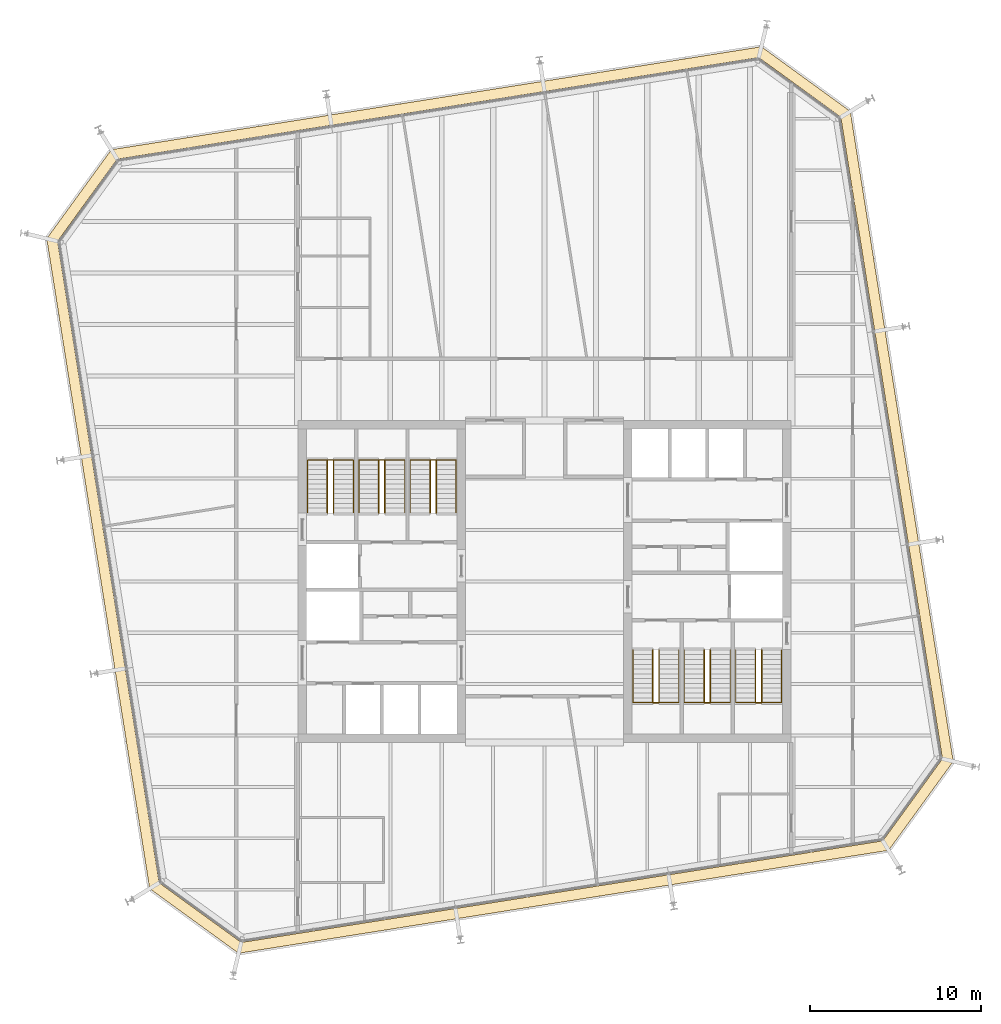
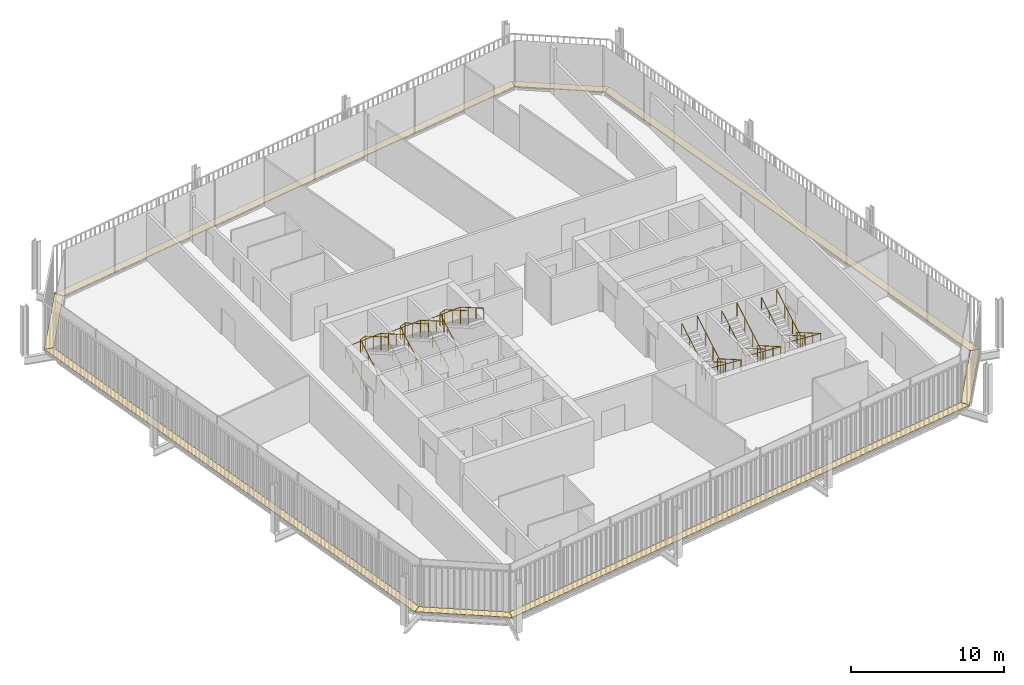
# One storey, part 20 of 20: 12 railings, 8 coverings.
"""IFC4 building model written with IfcOpenShell, lengths in metres."""

from ifc_helpers import new_model, si_unit, direction, frame, origin, origin_2d, place, context, subcontext, project, spatial, polyline, circle, outline, extrude, material, layer, layer_set, type_object, element, save


model = new_model("IFC4")

# Units and contexts
model_context = context("Model", 3, precision=1e-05, world=origin(), true_north=direction((0.0, 1.0)))
body_context = subcontext(model_context, "Body", "Model", "MODEL_VIEW")
ifc_project = project(units=[si_unit("LENGTHUNIT", "METRE"), si_unit("AREAUNIT", "SQUARE_METRE"), si_unit("VOLUMEUNIT", "CUBIC_METRE"), si_unit("PLANEANGLEUNIT", "RADIAN"), si_unit("MASSUNIT", "GRAM", prefix="KILO")], contexts=[model_context])

# Site, building, storey
site_placement = place(None, origin())
site = spatial("IfcSite", under=ifc_project, at=site_placement, CompositionType="ELEMENT")
building_placement = place(site_placement, origin())
building = spatial("IfcBuilding", under=site, at=building_placement, Name="Millrace Tower", CompositionType="ELEMENT")
storey_placement = place(building_placement, frame((0.0, 0.0, 216.39990234375)))
storey = spatial("IfcBuildingStorey", under=building, at=storey_placement, Name="L49", CompositionType="ELEMENT", Elevation=216.39990234375)

# Coverings
ifc_material_1 = material(Name="Steel ASTM A36", Category="steel")
ifc_layer = layer(ifc_material_1, 0.050048828125)
ifc_layer_set = layer_set([ifc_layer], Name="Steel ASTM A36")
covering_type = type_object("IfcCoveringType", Name="CAVITY CATWALK steel grating", PredefinedType="FLOORING", material=ifc_layer_set)
placement = place(storey_placement, frame((0.0, 0.0, 0.10009765625)))
element("IfcCovering", 1, at=placement, inside=storey, type_object=covering_type, Name="Cavity catwalk grating D-F01 L49 1", PredefinedType="FLOORING", context=body_context, shape_type="SweptSolid", body=[
    extrude(outline(polyline([(-23.052490234375, -17.939453125), (-17.85888671875, -21.712890625), (-17.707275390625, -21.081298828125), (-22.49853515625, -17.60009765625), (-23.052490234375, -17.939453125)])), origin(), (0.0, 0.0, 1.0), 0.050048828125),
])
element("IfcCovering", 2, at=placement, inside=storey, type_object=covering_type, Name="Cavity catwalk grating D-F02 L49 1", PredefinedType="FLOORING", context=body_context, shape_type="SweptSolid", body=[
    extrude(outline(polyline([(-17.85888671875, -21.712890625), (20.08935546875, -15.702392578125), (19.750244140625, -15.148681640625), (-17.707275390625, -21.081298828125), (-17.85888671875, -21.712890625)])), origin(), (0.0, 0.0, 1.0), 0.050048828125),
])
element("IfcCovering", 3, at=placement, inside=storey, type_object=covering_type, Name="Cavity catwalk grating D-F03 L49 1", PredefinedType="FLOORING", context=body_context, shape_type="SweptSolid", body=[
    extrude(outline(polyline([(20.08935546875, -15.702392578125), (23.86279296875, -10.5087890625), (23.231201171875, -10.357177734375), (19.750244140625, -15.148681640625), (20.08935546875, -15.702392578125)])), origin(), (0.0, 0.0, 1.0), 0.050048828125),
])
element("IfcCovering", 4, at=placement, inside=storey, type_object=covering_type, Name="Cavity catwalk grating D-F04 L49 1", PredefinedType="FLOORING", context=body_context, shape_type="SweptSolid", body=[
    extrude(outline(polyline([(23.86279296875, -10.5087890625), (17.852294921875, 27.439453125), (17.298583984375, 27.10009765625), (23.231201171875, -10.357177734375), (23.86279296875, -10.5087890625)])), origin(), (0.0, 0.0, 1.0), 0.050048828125),
])
element("IfcCovering", 5, at=placement, inside=storey, type_object=covering_type, Name="Cavity catwalk grating D-F05 L49 1", PredefinedType="FLOORING", context=body_context, shape_type="SweptSolid", body=[
    extrude(outline(polyline([(17.852294921875, 27.439453125), (12.658935546875, 31.212890625), (12.50732421875, 30.581298828125), (17.298583984375, 27.10009765625), (17.852294921875, 27.439453125)])), origin(), (0.0, 0.0, 1.0), 0.050048828125),
])
element("IfcCovering", 6, at=placement, inside=storey, type_object=covering_type, Name="Cavity catwalk grating D-F06 L49 1", PredefinedType="FLOORING", context=body_context, shape_type="SweptSolid", body=[
    extrude(outline(polyline([(12.658935546875, 31.212890625), (-25.28955078125, 25.202392578125), (-24.9501953125, 24.648681640625), (12.50732421875, 30.581298828125), (12.658935546875, 31.212890625)])), origin(), (0.0, 0.0, 1.0), 0.050048828125),
])
element("IfcCovering", 7, at=placement, inside=storey, type_object=covering_type, Name="Cavity catwalk grating D-F07 L49 1", PredefinedType="FLOORING", context=body_context, shape_type="SweptSolid", body=[
    extrude(outline(polyline([(-25.28955078125, 25.202392578125), (-29.062744140625, 20.0087890625), (-28.431396484375, 19.857177734375), (-24.9501953125, 24.648681640625), (-25.28955078125, 25.202392578125)])), origin(), (0.0, 0.0, 1.0), 0.050048828125),
])
element("IfcCovering", 8, at=placement, inside=storey, type_object=covering_type, Name="Cavity catwalk grating D-F08 L49 1", PredefinedType="FLOORING", context=body_context, shape_type="SweptSolid", body=[
    extrude(outline(polyline([(-29.062744140625, 20.0087890625), (-23.052490234375, -17.939453125), (-22.49853515625, -17.60009765625), (-28.431396484375, 19.857177734375), (-29.062744140625, 20.0087890625)])), origin(), (0.0, 0.0, 1.0), 0.050048828125),
])

# Railings
ifc_material_2 = material(Name="Stainless steel ASTM A240 type 316", Category="steel")
railing_type_1 = type_object("IfcRailingType", Name="Stair guard 1100", PredefinedType="GUARDRAIL", material=ifc_material_2)
for number, where, name in (
    (9, (-12.679931640625, 4.0, 0.16259765625), "Stair guard 1 W L49"),
    (10, (-9.679931640625, 4.0, 0.16259765625), "Stair guard 2 W L49"),
    (11, (-6.679931640625, 4.0, 0.16259765625), "Stair guard 3 W L49"),
):
    element("IfcRailing", number, at=place(storey_placement, frame(where)), inside=storey, type_object=railing_type_1, Name=name, PredefinedType="GUARDRAIL", context=body_context, shape_type="SweptSolid", body=[
        extrude(circle(Radius=0.02392578125, at=origin_2d()), frame((0.0, 0.0, 1.076171875), z_axis=(0.0, 0.864890721111, 0.501960198159), x_axis=(-1.0, 0.0, 0.0)), (0.0, 0.0, 1.0), 3.561279296875),
        extrude(circle(Radius=0.02392578125, at=origin_2d()), frame((0.0, 3.080078125, 2.86376953125), z_axis=(0.91152767309, 0.0, 0.411238739895), x_axis=(0.0, 1.0, 0.0)), (0.0, 0.0, 1.0), 0.394775390625),
        extrude(circle(Radius=0.02392578125, at=origin_2d()), frame((0.35986328125, 3.080078125, 3.02587890625), z_axis=(0.0, -0.864890721111, 0.501960198159), x_axis=(1.0, 0.0, 0.0)), (0.0, 0.0, 1.0), 3.561279296875),
        extrude(circle(Radius=0.02099609375, at=origin_2d()), origin(), (0.0, 0.0, 1.0), 1.052001953125),
        extrude(circle(Radius=0.02099609375, at=origin_2d()), frame((0.0, 1.026611328125, 0.595947265625)), (0.0, 0.0, 1.0), 1.052001953125),
        extrude(circle(Radius=0.02099609375, at=origin_2d()), frame((0.0, 2.053466796875, 1.191650390625)), (0.0, 0.0, 1.0), 1.052001953125),
        extrude(circle(Radius=0.02099609375, at=origin_2d()), frame((0.0, 3.080078125, 1.78759765625)), (0.0, 0.0, 1.0), 1.052001953125),
        extrude(circle(Radius=0.02099609375, at=origin_2d()), frame((0.35986328125, 3.080078125, 1.949951171875)), (0.0, 0.0, 1.0), 1.052001953125),
        extrude(circle(Radius=0.02099609375, at=origin_2d()), frame((0.35986328125, 2.053466796875, 2.5458984375)), (0.0, 0.0, 1.0), 1.052001953125),
        extrude(circle(Radius=0.02099609375, at=origin_2d()), frame((0.35986328125, 1.026611328125, 3.1416015625)), (0.0, 0.0, 1.0), 1.052001953125),
        extrude(circle(Radius=0.02099609375, at=origin_2d()), frame((0.35986328125, 0.0, 3.737548828125)), (0.0, 0.0, 1.0), 1.052001953125),
    ])
for number, where, name in (
    (12, (12.679931640625, -4.0, 0.16259765625), "Stair guard 1 E L49"),
    (13, (9.679931640625, -4.0, 0.16259765625), "Stair guard 2 E L49"),
    (14, (6.679931640625, -4.0, 0.16259765625), "Stair guard 3 E L49"),
):
    element("IfcRailing", number, at=place(storey_placement, frame(where)), inside=storey, type_object=railing_type_1, Name=name, PredefinedType="GUARDRAIL", context=body_context, shape_type="SweptSolid", body=[
        extrude(circle(Radius=0.02392578125, at=origin_2d()), frame((0.0, 0.0, 1.076171875), z_axis=(0.0, -0.864890721111, 0.501960198159), x_axis=(1.0, 0.0, 0.0)), (0.0, 0.0, 1.0), 3.561279296875),
        extrude(circle(Radius=0.02392578125, at=origin_2d()), frame((0.0, -3.080078125, 2.86376953125), z_axis=(-0.91152767309, 0.0, 0.411238739895), x_axis=(0.0, -1.0, 0.0)), (0.0, 0.0, 1.0), 0.394775390625),
        extrude(circle(Radius=0.02392578125, at=origin_2d()), frame((-0.35986328125, -3.080078125, 3.02587890625), z_axis=(0.0, 0.864890721111, 0.501960198159), x_axis=(-1.0, 0.0, 0.0)), (0.0, 0.0, 1.0), 3.561279296875),
        extrude(circle(Radius=0.02099609375, at=origin_2d()), origin(), (0.0, 0.0, 1.0), 1.052001953125),
        extrude(circle(Radius=0.02099609375, at=origin_2d()), frame((0.0, -1.026611328125, 0.595947265625)), (0.0, 0.0, 1.0), 1.052001953125),
        extrude(circle(Radius=0.02099609375, at=origin_2d()), frame((0.0, -2.053466796875, 1.191650390625)), (0.0, 0.0, 1.0), 1.052001953125),
        extrude(circle(Radius=0.02099609375, at=origin_2d()), frame((0.0, -3.080078125, 1.78759765625)), (0.0, 0.0, 1.0), 1.052001953125),
        extrude(circle(Radius=0.02099609375, at=origin_2d()), frame((-0.35986328125, -3.080078125, 1.949951171875)), (0.0, 0.0, 1.0), 1.052001953125),
        extrude(circle(Radius=0.02099609375, at=origin_2d()), frame((-0.35986328125, -2.053466796875, 2.5458984375)), (0.0, 0.0, 1.0), 1.052001953125),
        extrude(circle(Radius=0.02099609375, at=origin_2d()), frame((-0.35986328125, -1.026611328125, 3.1416015625)), (0.0, 0.0, 1.0), 1.052001953125),
        extrude(circle(Radius=0.02099609375, at=origin_2d()), frame((-0.35986328125, 0.0, 3.737548828125)), (0.0, 0.0, 1.0), 1.052001953125),
    ])
ifc_material_3 = material(Name="Stainless steel ASTM A240 type 316", Category="steel")
railing_type_2 = type_object("IfcRailingType", Name="Stair handrail 900", PredefinedType="HANDRAIL", material=ifc_material_3)
railing_1_placement = place(storey_placement, frame((-13.840087890625, 4.0, 0.16259765625)))
element("IfcRailing", 15, at=railing_1_placement, inside=storey, type_object=railing_type_2, Name="Stair handrail 1 W L49", PredefinedType="HANDRAIL", context=body_context, shape_type="SweptSolid", body=[
    extrude(circle(Radius=0.02392578125, at=origin_2d()), frame((0.0, 0.0, 0.8759765625), z_axis=(0.0, 0.864890721111, 0.501960198159), x_axis=(-1.0, 0.0, 0.0)), (0.0, 0.0, 1.0), 3.561279296875),
    extrude(circle(Radius=0.02392578125, at=origin_2d()), frame((0.0, 3.080078125, 2.66357421875), z_axis=(0.998170326313, 0.0, 0.06046486309), x_axis=(0.0, 1.0, 0.0)), (0.0, 0.0, 1.0), 2.68505859375),
    extrude(circle(Radius=0.02392578125, at=origin_2d()), frame((2.68017578125, 3.080078125, 2.82568359375), z_axis=(0.0, -0.864890721111, 0.501960198159), x_axis=(1.0, 0.0, 0.0)), (0.0, 0.0, 1.0), 3.561279296875),
    extrude(circle(Radius=0.02099609375, at=origin_2d()), origin(), (0.0, 0.0, 1.0), 0.851806640625),
    extrude(circle(Radius=0.02099609375, at=origin_2d()), frame((0.0, 1.026611328125, 0.595947265625)), (0.0, 0.0, 1.0), 0.851806640625),
    extrude(circle(Radius=0.02099609375, at=origin_2d()), frame((0.0, 2.053466796875, 1.191650390625)), (0.0, 0.0, 1.0), 0.851806640625),
    extrude(circle(Radius=0.02099609375, at=origin_2d()), frame((0.0, 3.080078125, 1.78759765625)), (0.0, 0.0, 1.0), 0.851806640625),
    extrude(circle(Radius=0.02099609375, at=origin_2d()), frame((1.340087890625, 3.080078125, 1.86865234375)), (0.0, 0.0, 1.0), 0.851806640625),
    extrude(circle(Radius=0.02099609375, at=origin_2d()), frame((2.68017578125, 3.080078125, 1.949951171875)), (0.0, 0.0, 1.0), 0.851806640625),
    extrude(circle(Radius=0.02099609375, at=origin_2d()), frame((2.68017578125, 2.053466796875, 2.5458984375)), (0.0, 0.0, 1.0), 0.851806640625),
    extrude(circle(Radius=0.02099609375, at=origin_2d()), frame((2.68017578125, 1.026611328125, 3.1416015625)), (0.0, 0.0, 1.0), 0.851806640625),
    extrude(circle(Radius=0.02099609375, at=origin_2d()), frame((2.68017578125, 0.0, 3.737548828125)), (0.0, 0.0, 1.0), 0.851806640625),
])
railing_2_placement = place(storey_placement, frame((-10.840087890625, 4.0, 0.16259765625)))
element("IfcRailing", 16, at=railing_2_placement, inside=storey, type_object=railing_type_2, Name="Stair handrail 2 W L49", PredefinedType="HANDRAIL", context=body_context, shape_type="SweptSolid", body=[
    extrude(circle(Radius=0.02392578125, at=origin_2d()), frame((0.0, 0.0, 0.8759765625), z_axis=(0.0, 0.864890721111, 0.501960198159), x_axis=(-1.0, 0.0, 0.0)), (0.0, 0.0, 1.0), 3.561279296875),
    extrude(circle(Radius=0.02392578125, at=origin_2d()), frame((0.0, 3.080078125, 2.66357421875), z_axis=(0.998170326313, 0.0, 0.06046486309), x_axis=(0.0, 1.0, 0.0)), (0.0, 0.0, 1.0), 2.68505859375),
    extrude(circle(Radius=0.02392578125, at=origin_2d()), frame((2.68017578125, 3.080078125, 2.82568359375), z_axis=(0.0, -0.864890721111, 0.501960198159), x_axis=(1.0, 0.0, 0.0)), (0.0, 0.0, 1.0), 3.561279296875),
    extrude(circle(Radius=0.02099609375, at=origin_2d()), origin(), (0.0, 0.0, 1.0), 0.851806640625),
    extrude(circle(Radius=0.02099609375, at=origin_2d()), frame((0.0, 1.026611328125, 0.595947265625)), (0.0, 0.0, 1.0), 0.851806640625),
    extrude(circle(Radius=0.02099609375, at=origin_2d()), frame((0.0, 2.053466796875, 1.191650390625)), (0.0, 0.0, 1.0), 0.851806640625),
    extrude(circle(Radius=0.02099609375, at=origin_2d()), frame((0.0, 3.080078125, 1.78759765625)), (0.0, 0.0, 1.0), 0.851806640625),
    extrude(circle(Radius=0.02099609375, at=origin_2d()), frame((1.340087890625, 3.080078125, 1.86865234375)), (0.0, 0.0, 1.0), 0.851806640625),
    extrude(circle(Radius=0.02099609375, at=origin_2d()), frame((2.68017578125, 3.080078125, 1.949951171875)), (0.0, 0.0, 1.0), 0.851806640625),
    extrude(circle(Radius=0.02099609375, at=origin_2d()), frame((2.68017578125, 2.053466796875, 2.5458984375)), (0.0, 0.0, 1.0), 0.851806640625),
    extrude(circle(Radius=0.02099609375, at=origin_2d()), frame((2.68017578125, 1.026611328125, 3.1416015625)), (0.0, 0.0, 1.0), 0.851806640625),
    extrude(circle(Radius=0.02099609375, at=origin_2d()), frame((2.68017578125, 0.0, 3.737548828125)), (0.0, 0.0, 1.0), 0.851806640625),
])
railing_3_placement = place(storey_placement, frame((-7.840087890625, 4.0, 0.16259765625)))
element("IfcRailing", 17, at=railing_3_placement, inside=storey, type_object=railing_type_2, Name="Stair handrail 3 W L49", PredefinedType="HANDRAIL", context=body_context, shape_type="SweptSolid", body=[
    extrude(circle(Radius=0.02392578125, at=origin_2d()), frame((0.0, 0.0, 0.8759765625), z_axis=(0.0, 0.864890721111, 0.501960198159), x_axis=(-1.0, 0.0, 0.0)), (0.0, 0.0, 1.0), 3.561279296875),
    extrude(circle(Radius=0.02392578125, at=origin_2d()), frame((0.0, 3.080078125, 2.66357421875), z_axis=(0.998170326313, 0.0, 0.06046486309), x_axis=(0.0, 1.0, 0.0)), (0.0, 0.0, 1.0), 2.68505859375),
    extrude(circle(Radius=0.02392578125, at=origin_2d()), frame((2.68017578125, 3.080078125, 2.82568359375), z_axis=(0.0, -0.864890721111, 0.501960198159), x_axis=(1.0, 0.0, 0.0)), (0.0, 0.0, 1.0), 3.561279296875),
    extrude(circle(Radius=0.02099609375, at=origin_2d()), origin(), (0.0, 0.0, 1.0), 0.851806640625),
    extrude(circle(Radius=0.02099609375, at=origin_2d()), frame((0.0, 1.026611328125, 0.595947265625)), (0.0, 0.0, 1.0), 0.851806640625),
    extrude(circle(Radius=0.02099609375, at=origin_2d()), frame((0.0, 2.053466796875, 1.191650390625)), (0.0, 0.0, 1.0), 0.851806640625),
    extrude(circle(Radius=0.02099609375, at=origin_2d()), frame((0.0, 3.080078125, 1.78759765625)), (0.0, 0.0, 1.0), 0.851806640625),
    extrude(circle(Radius=0.02099609375, at=origin_2d()), frame((1.340087890625, 3.080078125, 1.86865234375)), (0.0, 0.0, 1.0), 0.851806640625),
    extrude(circle(Radius=0.02099609375, at=origin_2d()), frame((2.68017578125, 3.080078125, 1.949951171875)), (0.0, 0.0, 1.0), 0.851806640625),
    extrude(circle(Radius=0.02099609375, at=origin_2d()), frame((2.68017578125, 2.053466796875, 2.5458984375)), (0.0, 0.0, 1.0), 0.851806640625),
    extrude(circle(Radius=0.02099609375, at=origin_2d()), frame((2.68017578125, 1.026611328125, 3.1416015625)), (0.0, 0.0, 1.0), 0.851806640625),
    extrude(circle(Radius=0.02099609375, at=origin_2d()), frame((2.68017578125, 0.0, 3.737548828125)), (0.0, 0.0, 1.0), 0.851806640625),
])
railing_4_placement = place(storey_placement, frame((13.840087890625, -4.0, 0.16259765625)))
element("IfcRailing", 18, at=railing_4_placement, inside=storey, type_object=railing_type_2, Name="Stair handrail 1 E L49", PredefinedType="HANDRAIL", context=body_context, shape_type="SweptSolid", body=[
    extrude(circle(Radius=0.02392578125, at=origin_2d()), frame((0.0, 0.0, 0.8759765625), z_axis=(0.0, -0.864890721111, 0.501960198159), x_axis=(1.0, 0.0, 0.0)), (0.0, 0.0, 1.0), 3.561279296875),
    extrude(circle(Radius=0.02392578125, at=origin_2d()), frame((0.0, -3.080078125, 2.66357421875), z_axis=(-0.998170326313, 0.0, 0.06046486309), x_axis=(0.0, -1.0, 0.0)), (0.0, 0.0, 1.0), 2.68505859375),
    extrude(circle(Radius=0.02392578125, at=origin_2d()), frame((-2.68017578125, -3.080078125, 2.82568359375), z_axis=(0.0, 0.864890721111, 0.501960198159), x_axis=(-1.0, 0.0, 0.0)), (0.0, 0.0, 1.0), 3.561279296875),
    extrude(circle(Radius=0.02099609375, at=origin_2d()), origin(), (0.0, 0.0, 1.0), 0.851806640625),
    extrude(circle(Radius=0.02099609375, at=origin_2d()), frame((0.0, -1.026611328125, 0.595947265625)), (0.0, 0.0, 1.0), 0.851806640625),
    extrude(circle(Radius=0.02099609375, at=origin_2d()), frame((0.0, -2.053466796875, 1.191650390625)), (0.0, 0.0, 1.0), 0.851806640625),
    extrude(circle(Radius=0.02099609375, at=origin_2d()), frame((0.0, -3.080078125, 1.78759765625)), (0.0, 0.0, 1.0), 0.851806640625),
    extrude(circle(Radius=0.02099609375, at=origin_2d()), frame((-1.340087890625, -3.080078125, 1.86865234375)), (0.0, 0.0, 1.0), 0.851806640625),
    extrude(circle(Radius=0.02099609375, at=origin_2d()), frame((-2.68017578125, -3.080078125, 1.949951171875)), (0.0, 0.0, 1.0), 0.851806640625),
    extrude(circle(Radius=0.02099609375, at=origin_2d()), frame((-2.68017578125, -2.053466796875, 2.5458984375)), (0.0, 0.0, 1.0), 0.851806640625),
    extrude(circle(Radius=0.02099609375, at=origin_2d()), frame((-2.68017578125, -1.026611328125, 3.1416015625)), (0.0, 0.0, 1.0), 0.851806640625),
    extrude(circle(Radius=0.02099609375, at=origin_2d()), frame((-2.68017578125, 0.0, 3.737548828125)), (0.0, 0.0, 1.0), 0.851806640625),
])
railing_5_placement = place(storey_placement, frame((10.840087890625, -4.0, 0.16259765625)))
element("IfcRailing", 19, at=railing_5_placement, inside=storey, type_object=railing_type_2, Name="Stair handrail 2 E L49", PredefinedType="HANDRAIL", context=body_context, shape_type="SweptSolid", body=[
    extrude(circle(Radius=0.02392578125, at=origin_2d()), frame((0.0, 0.0, 0.8759765625), z_axis=(0.0, -0.864890721111, 0.501960198159), x_axis=(1.0, 0.0, 0.0)), (0.0, 0.0, 1.0), 3.561279296875),
    extrude(circle(Radius=0.02392578125, at=origin_2d()), frame((0.0, -3.080078125, 2.66357421875), z_axis=(-0.998170326313, 0.0, 0.06046486309), x_axis=(0.0, -1.0, 0.0)), (0.0, 0.0, 1.0), 2.68505859375),
    extrude(circle(Radius=0.02392578125, at=origin_2d()), frame((-2.68017578125, -3.080078125, 2.82568359375), z_axis=(0.0, 0.864890721111, 0.501960198159), x_axis=(-1.0, 0.0, 0.0)), (0.0, 0.0, 1.0), 3.561279296875),
    extrude(circle(Radius=0.02099609375, at=origin_2d()), origin(), (0.0, 0.0, 1.0), 0.851806640625),
    extrude(circle(Radius=0.02099609375, at=origin_2d()), frame((0.0, -1.026611328125, 0.595947265625)), (0.0, 0.0, 1.0), 0.851806640625),
    extrude(circle(Radius=0.02099609375, at=origin_2d()), frame((0.0, -2.053466796875, 1.191650390625)), (0.0, 0.0, 1.0), 0.851806640625),
    extrude(circle(Radius=0.02099609375, at=origin_2d()), frame((0.0, -3.080078125, 1.78759765625)), (0.0, 0.0, 1.0), 0.851806640625),
    extrude(circle(Radius=0.02099609375, at=origin_2d()), frame((-1.340087890625, -3.080078125, 1.86865234375)), (0.0, 0.0, 1.0), 0.851806640625),
    extrude(circle(Radius=0.02099609375, at=origin_2d()), frame((-2.68017578125, -3.080078125, 1.949951171875)), (0.0, 0.0, 1.0), 0.851806640625),
    extrude(circle(Radius=0.02099609375, at=origin_2d()), frame((-2.68017578125, -2.053466796875, 2.5458984375)), (0.0, 0.0, 1.0), 0.851806640625),
    extrude(circle(Radius=0.02099609375, at=origin_2d()), frame((-2.68017578125, -1.026611328125, 3.1416015625)), (0.0, 0.0, 1.0), 0.851806640625),
    extrude(circle(Radius=0.02099609375, at=origin_2d()), frame((-2.68017578125, 0.0, 3.737548828125)), (0.0, 0.0, 1.0), 0.851806640625),
])
railing_6_placement = place(storey_placement, frame((7.840087890625, -4.0, 0.16259765625)))
element("IfcRailing", 20, at=railing_6_placement, inside=storey, type_object=railing_type_2, Name="Stair handrail 3 E L49", PredefinedType="HANDRAIL", context=body_context, shape_type="SweptSolid", body=[
    extrude(circle(Radius=0.02392578125, at=origin_2d()), frame((0.0, 0.0, 0.8759765625), z_axis=(0.0, -0.864890721111, 0.501960198159), x_axis=(1.0, 0.0, 0.0)), (0.0, 0.0, 1.0), 3.561279296875),
    extrude(circle(Radius=0.02392578125, at=origin_2d()), frame((0.0, -3.080078125, 2.66357421875), z_axis=(-0.998170326313, 0.0, 0.06046486309), x_axis=(0.0, -1.0, 0.0)), (0.0, 0.0, 1.0), 2.68505859375),
    extrude(circle(Radius=0.02392578125, at=origin_2d()), frame((-2.68017578125, -3.080078125, 2.82568359375), z_axis=(0.0, 0.864890721111, 0.501960198159), x_axis=(-1.0, 0.0, 0.0)), (0.0, 0.0, 1.0), 3.561279296875),
    extrude(circle(Radius=0.02099609375, at=origin_2d()), origin(), (0.0, 0.0, 1.0), 0.851806640625),
    extrude(circle(Radius=0.02099609375, at=origin_2d()), frame((0.0, -1.026611328125, 0.595947265625)), (0.0, 0.0, 1.0), 0.851806640625),
    extrude(circle(Radius=0.02099609375, at=origin_2d()), frame((0.0, -2.053466796875, 1.191650390625)), (0.0, 0.0, 1.0), 0.851806640625),
    extrude(circle(Radius=0.02099609375, at=origin_2d()), frame((0.0, -3.080078125, 1.78759765625)), (0.0, 0.0, 1.0), 0.851806640625),
    extrude(circle(Radius=0.02099609375, at=origin_2d()), frame((-1.340087890625, -3.080078125, 1.86865234375)), (0.0, 0.0, 1.0), 0.851806640625),
    extrude(circle(Radius=0.02099609375, at=origin_2d()), frame((-2.68017578125, -3.080078125, 1.949951171875)), (0.0, 0.0, 1.0), 0.851806640625),
    extrude(circle(Radius=0.02099609375, at=origin_2d()), frame((-2.68017578125, -2.053466796875, 2.5458984375)), (0.0, 0.0, 1.0), 0.851806640625),
    extrude(circle(Radius=0.02099609375, at=origin_2d()), frame((-2.68017578125, -1.026611328125, 3.1416015625)), (0.0, 0.0, 1.0), 0.851806640625),
    extrude(circle(Radius=0.02099609375, at=origin_2d()), frame((-2.68017578125, 0.0, 3.737548828125)), (0.0, 0.0, 1.0), 0.851806640625),
])

save(model, "model.ifc")
